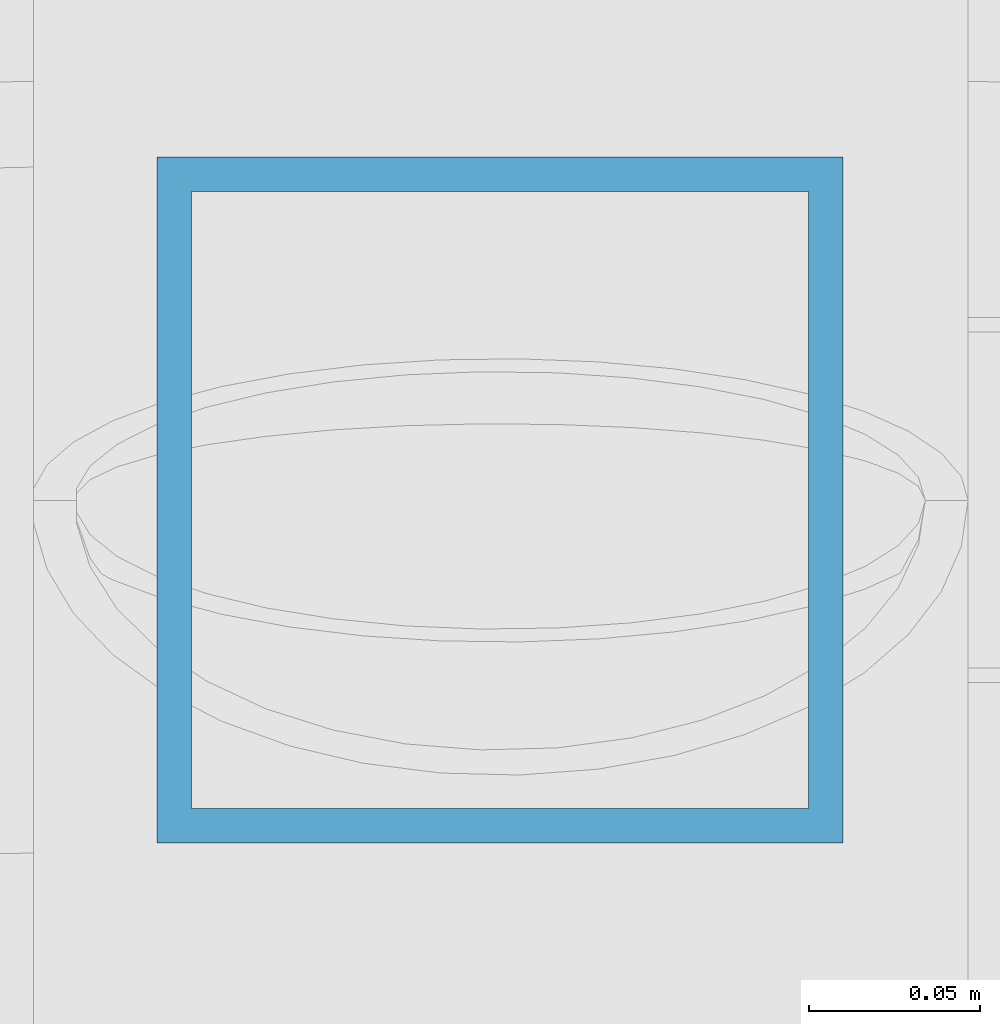
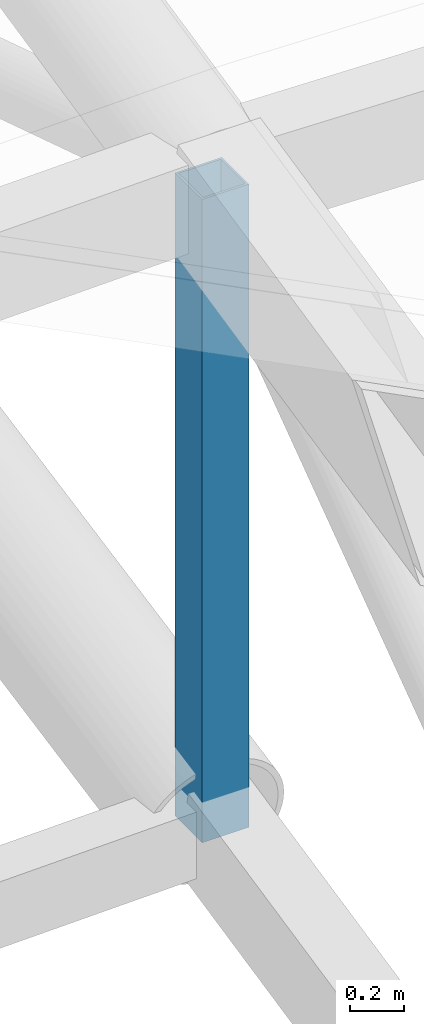
# One storey, part 94 of 143: 1 member.
"""IFC4 building model written with IfcOpenShell, lengths in metres."""

import ifcopenshell
import ifcopenshell.guid

model = None  # the IFC model being written
_history = None  # IfcOwnerHistory: only IFC2X3 demands one
_inside = {}  # id of a spatial element -> (the spatial element, [elements in it])
_under = {}  # id of a project, library or spatial element -> (it, [spatial elements below it])
_declared = {}  # id of a project -> (the project, [libraries it declares])
_typed = {}  # id of a type object -> (the type object, [elements of that type])
_made_of = {}  # id of a material, layer set ... -> (it, [elements and type objects made of it])


def new_model(schema):
    """Start an empty IFC model of exactly this schema.

    Asked for "IFC4X3", IfcOpenShell would pick the latest addendum, in which some entities
    have other attributes; the version numbers below select the first issue.
    IFC2X3 requires an IfcOwnerHistory on every rooted entity: one is made here for all.
    """
    global model, _history
    if schema == "IFC4X3":
        model = ifcopenshell.file(schema_version=(4, 3, 0, 0))
    else:
        model = ifcopenshell.file(schema=schema)
    _inside.clear()
    _under.clear()
    _declared.clear()
    _typed.clear()
    _made_of.clear()
    _history = None
    if model.schema == "IFC2X3":
        org = make("IfcOrganization", Name="unknown")
        user = make(
            "IfcPersonAndOrganization",
            ThePerson=make("IfcPerson", FamilyName="unknown"),
            TheOrganization=org,
        )
        app = make(
            "IfcApplication",
            ApplicationDeveloper=org,
            Version="unknown",
            ApplicationFullName="unknown",
            ApplicationIdentifier="unknown",
        )
        _history = make(
            "IfcOwnerHistory",
            OwningUser=user,
            OwningApplication=app,
            ChangeAction="ADDED",
            CreationDate=0,
        )
    return model


def make(cls, **values):
    """One entity of the class cls with the attributes given. An attribute that is None is left unset."""
    return model.create_entity(
        cls, **{name: value for name, value in values.items() if value is not None}
    )


def rooted(cls, **values):
    """An entity with a GlobalId (a new one), such as an element, a storey or a relation."""
    return make(cls, GlobalId=ifcopenshell.guid.new(), OwnerHistory=_history, **values)


def si_unit(unit_type, name, prefix=None):
    """IfcSIUnit, for example si_unit("LENGTHUNIT", "METRE", prefix="MILLI")."""
    return make("IfcSIUnit", UnitType=unit_type, Prefix=prefix, Name=name)


def assignment(units):
    """IfcUnitAssignment: the units of a project."""
    return None if units is None else make("IfcUnitAssignment", Units=units)


def point(xyz):
    """IfcCartesianPoint."""
    return None if xyz is None else make("IfcCartesianPoint", Coordinates=xyz)


def direction(xyz):
    """IfcDirection."""
    return None if xyz is None else make("IfcDirection", DirectionRatios=xyz)


def frame(location, z_axis=None, x_axis=None):
    """IfcAxis2Placement3D, a coordinate frame: its origin and axes. An axis left out is left unset."""
    return make(
        "IfcAxis2Placement3D",
        Location=point(location),
        Axis=direction(z_axis),
        RefDirection=direction(x_axis),
    )


def frame_2d(location, x_axis=None):
    """IfcAxis2Placement2D, a coordinate frame in the plane: its origin and x axis."""
    return make(
        "IfcAxis2Placement2D", Location=point(location), RefDirection=direction(x_axis)
    )


def origin():
    """The frame at (0, 0, 0) with its axes left unset."""
    return frame((0.0, 0.0, 0.0))


def origin_2d():
    """The frame at (0, 0) in the plane with its x axis left unset."""
    return frame_2d((0.0, 0.0))


def place(relative_to, where):
    """IfcLocalPlacement: puts the frame where relative to a parent placement (None: the world)."""
    return make(
        "IfcLocalPlacement", PlacementRelTo=relative_to, RelativePlacement=where
    )


def context(
    kind, dimensions, precision=None, world=None, true_north=None, identifier=None
):
    """IfcGeometricRepresentationContext, for example the 3D "Model" context."""
    return make(
        "IfcGeometricRepresentationContext",
        ContextIdentifier=identifier,
        ContextType=kind,
        CoordinateSpaceDimension=dimensions,
        Precision=precision,
        WorldCoordinateSystem=world,
        TrueNorth=true_north,
    )


def subcontext(parent, identifier, kind, view, scale=None):
    """IfcGeometricRepresentationSubContext, for example "Body" below "Model"."""
    return make(
        "IfcGeometricRepresentationSubContext",
        ContextIdentifier=identifier,
        ContextType=kind,
        ParentContext=parent,
        TargetScale=scale,
        TargetView=view,
    )


def project(units=None, contexts=None):
    """IfcProject with its units and contexts."""
    return rooted(
        "IfcProject",
        Name="project",
        RepresentationContexts=contexts,
        UnitsInContext=assignment(units),
    )


def spatial(cls, under=None, at=None, **own):
    """A site, building, storey or space (cls), placed at a placement, below another one or the project."""
    s = rooted(cls, ObjectPlacement=at, **own)
    if under is not None:
        _under.setdefault(under.id(), (under, []))[1].append(s)
    return s


def profile(cls, at=None, kind="AREA", **sizes):
    """A parametric profile (cls). Its sizes go by their IFC names, for example OverallWidth=200.0."""
    return make(cls, ProfileType=kind, Position=at, **sizes)


def hollow_rectangle(**sizes):
    """IfcRectangleHollowProfileDef."""
    return profile("IfcRectangleHollowProfileDef", **sizes)


def extrude(swept, where, along, depth):
    """IfcExtrudedAreaSolid: the profile swept, set in the frame where, extruded along a direction by depth."""
    return make(
        "IfcExtrudedAreaSolid",
        SweptArea=swept,
        Position=where,
        ExtrudedDirection=direction(along),
        Depth=depth,
    )


def shape(context_of_items, identifier, shape_type, items):
    """IfcShapeRepresentation: the items that make up one representation, for example the "Body"."""
    return make(
        "IfcShapeRepresentation",
        ContextOfItems=context_of_items,
        RepresentationIdentifier=identifier,
        RepresentationType=shape_type,
        Items=items,
    )


def material(Name=None, Category=None):
    """IfcMaterial."""
    return make("IfcMaterial", Name=Name, Category=Category)


def material_profile(
    of_material, cross_section, Name=None, Category=None, Priority=None
):
    """IfcMaterialProfile: a cross section and its material."""
    return make(
        "IfcMaterialProfile",
        Name=Name,
        Material=of_material,
        Profile=cross_section,
        Priority=Priority,
        Category=Category,
    )


def profile_set(profiles, Name=None, composite=None):
    """IfcMaterialProfileSet."""
    return make(
        "IfcMaterialProfileSet",
        Name=Name,
        MaterialProfiles=profiles,
        CompositeProfile=composite,
    )


def made_of(thing, what):
    """Note that an element or type object is made of a material, layer set ...; save() writes the relation."""
    if what is not None:
        _made_of.setdefault(what.id(), (what, []))[1].append(thing)
    return thing


def type_object(cls, material=None, **own):
    """A type object (cls), such as IfcWallType, which elements share."""
    return made_of(rooted(cls, **own), material)


def element(
    cls,
    number,
    at=None,
    inside=None,
    cuts=None,
    type_object=None,
    material=None,
    context=None,
    identifier="Body",
    shape_type=None,
    held_by="IfcProductDefinitionShape",
    body=None,
    shapes=None,
    **own,
):
    """One element of the class cls, such as IfcWall. Its Tag is "e" and its number.

    at: its placement. inside: the storey or other place that contains it. cuts: it is an
    opening in that element (IfcRelVoidsElement). A single representation is given by context,
    identifier, shape_type and body (its items); several are given by shapes. held_by: the class
    of the entity that holds the representations. save() writes the other relations.
    """
    e = rooted(cls, Tag="e%d" % number, ObjectPlacement=at, **own)
    if body is not None:
        shapes = [shape(context, identifier, shape_type, body)]
    if shapes is not None:
        e.Representation = make(held_by, Representations=shapes)
    if inside is not None:
        _inside.setdefault(inside.id(), (inside, []))[1].append(e)
    if cuts is not None:
        rooted(
            "IfcRelVoidsElement", RelatingBuildingElement=cuts, RelatedOpeningElement=e
        )
    if type_object is not None:
        _typed.setdefault(type_object.id(), (type_object, []))[1].append(e)
    return made_of(e, material)


def aggregate(whole, parts):
    """IfcRelAggregates: a whole, such as a stair, and the parts it consists of."""
    return rooted("IfcRelAggregates", RelatingObject=whole, RelatedObjects=parts)


def save(model, path):
    """Write the relations noted so far, then the file.

    IfcRelAggregates (storeys below a building ...), IfcRelContainedInSpatialStructure (elements
    in a storey), IfcRelDefinesByType, IfcRelAssociatesMaterial and IfcRelDeclares: one each for
    every whole, place, type object, material and project.
    """
    for whole, parts in _under.values():
        aggregate(whole, parts)
    for where, things in _inside.values():
        rooted(
            "IfcRelContainedInSpatialStructure",
            RelatedElements=things,
            RelatingStructure=where,
        )
    for kind, things in _typed.values():
        rooted("IfcRelDefinesByType", RelatedObjects=things, RelatingType=kind)
    for what, things in _made_of.values():
        rooted("IfcRelAssociatesMaterial", RelatedObjects=things, RelatingMaterial=what)
    for by, libraries in _declared.values():
        rooted("IfcRelDeclares", RelatingContext=by, RelatedDefinitions=libraries)
    model.write(path)


model = new_model("IFC4")

# Units and contexts
model_context = context("Model", 3, precision=1e-05, world=origin(), true_north=direction((0.0, 1.0)))
body_context = subcontext(model_context, "Body", "Model", "MODEL_VIEW")
ifc_project = project(units=[si_unit("LENGTHUNIT", "METRE"), si_unit("AREAUNIT", "SQUARE_METRE"), si_unit("VOLUMEUNIT", "CUBIC_METRE"), si_unit("PLANEANGLEUNIT", "RADIAN"), si_unit("MASSUNIT", "GRAM", prefix="KILO")], contexts=[model_context])

# Site, building, storey
site_placement = place(None, origin())
site = spatial("IfcSite", under=ifc_project, at=site_placement, CompositionType="ELEMENT")
building_placement = place(site_placement, origin())
building = spatial("IfcBuilding", under=site, at=building_placement, Name="Mphavela Belvedere Stadium", CompositionType="ELEMENT")
storey_placement = place(building_placement, frame((0.0, 0.0, 28.800048828125)))
storey = spatial("IfcBuildingStorey", under=building, at=storey_placement, Name="RF", CompositionType="ELEMENT", Elevation=28.800048828125)

# Member
ifc_material = material(Name="Steel S355", Category="steel")
ifc_material_profile = material_profile(ifc_material, hollow_rectangle(XDim=0.199951171875, YDim=0.199951171875, WallThickness=0.010009765625, at=origin_2d()), Name="SHS 200x200x10")
ifc_profile_set = profile_set([ifc_material_profile], Name="Steel S355")
member_type = type_object("IfcMemberType", Name="MEM-POST-SHS200", PredefinedType="POST", material=ifc_profile_set)
member_placement = place(storey_placement, frame((115.0, 142.773681640625, 6.858154296875), z_axis=(0.0, 0.0, 1.0), x_axis=(0.0, 1.0, 0.0)))
element("IfcMember", 1, at=member_placement, inside=storey, type_object=member_type, Name="Radial roof truss RT-13 post P3", PredefinedType="POST", context=body_context, shape_type="SweptSolid", body=[
    extrude(hollow_rectangle(XDim=0.199951171875, YDim=0.199951171875, WallThickness=0.010009765625, at=origin_2d()), origin(), (0.0, 0.0, 1.0), 2.89990234375),
])

save(model, "model.ifc")
